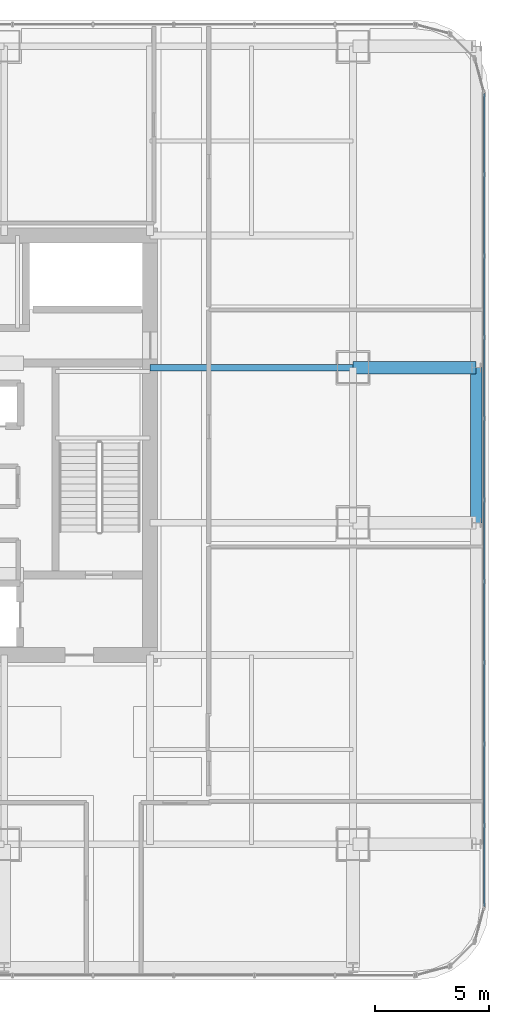
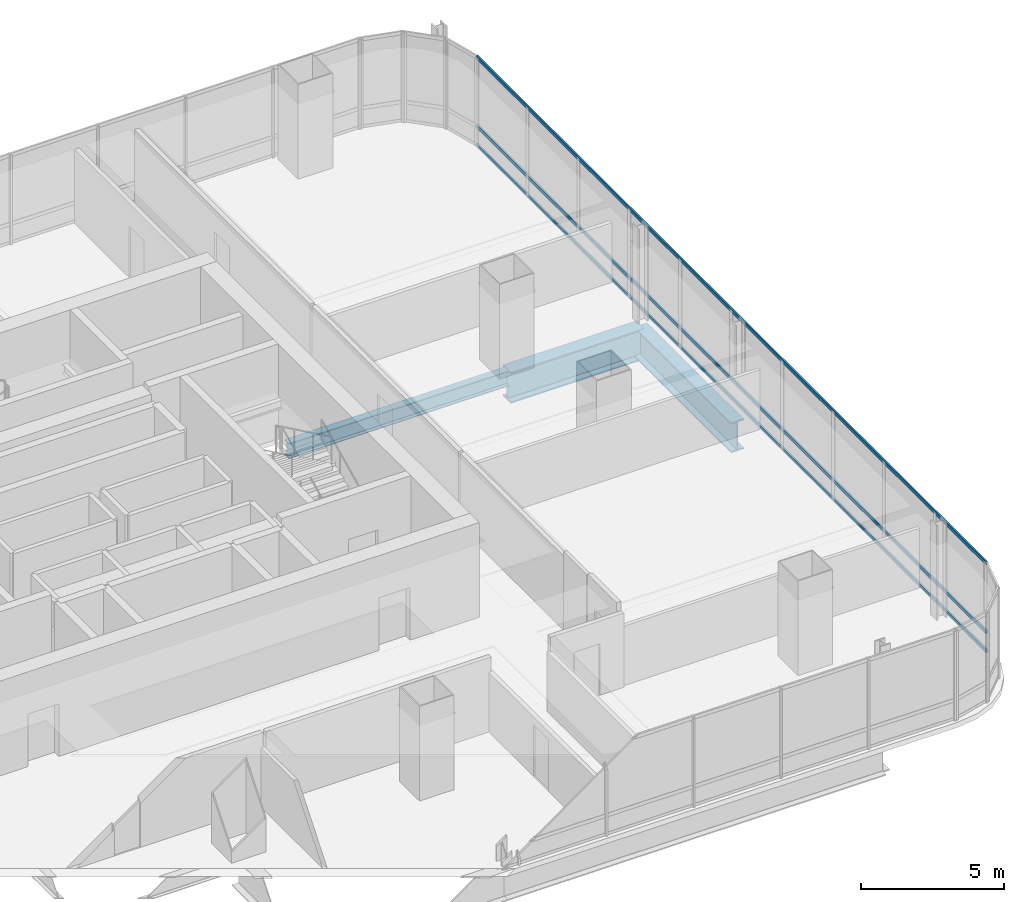
# One storey, part 18 of 36: 3 beams, 3 members, 1 element without a shape of its own.
"""IFC4 building model written with IfcOpenShell, lengths in metres."""

from ifc_helpers import new_model, si_unit, direction, frame, origin, origin_2d, place, context, subcontext, project, spatial, hollow_rectangle, i_section, extrude, material, material_profile, profile_set, type_object, element, aggregate, save


model = new_model("IFC4")

# Units and contexts
model_context = context("Model", 3, precision=1e-05, world=origin(), true_north=direction((0.0, 1.0)))
body_context = subcontext(model_context, "Body", "Model", "MODEL_VIEW")
ifc_project = project(units=[si_unit("LENGTHUNIT", "METRE"), si_unit("AREAUNIT", "SQUARE_METRE"), si_unit("VOLUMEUNIT", "CUBIC_METRE"), si_unit("PLANEANGLEUNIT", "RADIAN"), si_unit("MASSUNIT", "GRAM", prefix="KILO")], contexts=[model_context])

# Site, building, storey
site_placement = place(None, origin())
site = spatial("IfcSite", under=ifc_project, at=site_placement, CompositionType="ELEMENT")
building_placement = place(site_placement, origin())
building = spatial("IfcBuilding", under=site, at=building_placement, Name="Punatoya Terracotta Tower", CompositionType="ELEMENT")
storey_placement = place(building_placement, frame((0.0, 0.0, 208.64990234375)))
storey = spatial("IfcBuildingStorey", under=building, at=storey_placement, Name="L49", CompositionType="ELEMENT", Elevation=208.64990234375)

# Beams
ifc_material_1 = material(Name="Steel S355", Category="steel")
ifc_material_profile_1 = material_profile(ifc_material_1, i_section(OverallWidth=0.300048828125, OverallDepth=0.64990234375, WebThickness=0.01611328125, FlangeThickness=0.031005859375, FilletRadius=0.01806640625, at=origin_2d()))
ifc_profile_set_1 = profile_set([ifc_material_profile_1], Name="Steel S355")
beam_type_1 = type_object("IfcBeamType", Name="BM-PRI-650", PredefinedType="BEAM", material=ifc_profile_set_1)
beam_1_placement = place(storey_placement, frame((10.199951171875, 3.39990234375, -0.544921875), z_axis=(1.0, 0.0, 0.0), x_axis=(0.0, 1.0, 0.0)))
element("IfcBeam", 1, at=beam_1_placement, inside=storey, type_object=beam_type_1, Name="BM-L49-PR-EE", PredefinedType="BEAM", context=body_context, shape_type="SweptSolid", body=[
    extrude(i_section(OverallWidth=0.300048828125, OverallDepth=0.64990234375, WebThickness=0.01611328125, FlangeThickness=0.031005859375, FilletRadius=0.01806640625, at=origin_2d()), origin(), (0.0, 0.0, 1.0), 8.900146484375),
])
ifc_material_2 = material(Name="Steel S460", Category="steel")
ifc_material_profile_2 = material_profile(ifc_material_2, i_section(OverallWidth=0.56005859375, OverallDepth=1.320068359375, WebThickness=0.035888671875, FlangeThickness=0.054931640625, FilletRadius=0.01806640625, at=origin_2d()))
ifc_profile_set_2 = profile_set([ifc_material_profile_2], Name="Steel S460")
beam_type_2 = type_object("IfcBeamType", Name="BM-TG-BLK", PredefinedType="BEAM", material=ifc_profile_set_2)
beam_2_placement = place(storey_placement, frame((19.10009765625, 3.39990234375, -0.8798828125), z_axis=(1.0, 0.0, 0.0), x_axis=(0.0, 1.0, 0.0)))
element("IfcBeam", 2, at=beam_2_placement, inside=storey, type_object=beam_type_2, Name="BM-L49-CANT-E3", PredefinedType="BEAM", context=body_context, shape_type="SweptSolid", body=[
    extrude(i_section(OverallWidth=0.56005859375, OverallDepth=1.320068359375, WebThickness=0.035888671875, FlangeThickness=0.054931640625, FilletRadius=0.01806640625, at=origin_2d()), origin(), (0.0, 0.0, 1.0), 5.39990234375),
])
ifc_material_profile_3 = material_profile(ifc_material_2, i_section(OverallWidth=0.52001953125, OverallDepth=1.280029296875, WebThickness=0.031982421875, FlangeThickness=0.050048828125, FilletRadius=0.01806640625, at=origin_2d()))
ifc_profile_set_3 = profile_set([ifc_material_profile_3], Name="Steel S460")
beam_type_3 = type_object("IfcBeamType", Name="BM-TG-NCK", PredefinedType="BEAM", material=ifc_profile_set_3)
beam_3_placement = place(storey_placement, frame((24.5, -3.39990234375, -0.85986328125), z_axis=(0.0, 1.0, 0.0), x_axis=(-1.0, 0.0, 0.0)))
element("IfcBeam", 3, at=beam_3_placement, inside=storey, type_object=beam_type_3, Name="BM-L49-PER-E2", PredefinedType="BEAM", context=body_context, shape_type="SweptSolid", body=[
    extrude(i_section(OverallWidth=0.52001953125, OverallDepth=1.280029296875, WebThickness=0.031982421875, FlangeThickness=0.050048828125, FilletRadius=0.01806640625, at=origin_2d()), origin(), (0.0, 0.0, 1.0), 6.7998046875),
])

# Curtain wall, members
ifc_material_3 = material(Name="Aluminium 6063-T6 + Double Low-E Glass", Category="aluminium")
curtain_wall_type = type_object("IfcCurtainWallType", Name="CW-M2", PredefinedType="NOTDEFINED", material=ifc_material_3)
curtain_wall_placement = place(storey_placement, origin())
curtain_wall = element("IfcCurtainWall", 4, at=curtain_wall_placement, inside=storey, type_object=curtain_wall_type, Name="L49 Curtain Wall CW-L49-E05-1", PredefinedType="NOTDEFINED")
ifc_material_4 = material(Name="Aluminium 6063-T6", Category="aluminium")
ifc_material_profile_4 = material_profile(ifc_material_4, hollow_rectangle(XDim=0.068115234375, YDim=0.14990234375, WallThickness=0.00390625, at=origin_2d()))
ifc_profile_set_4 = profile_set([ifc_material_profile_4], Name="Aluminium 6063-T6")
member_type = type_object("IfcMemberType", Name="CW-TRN-TYP", PredefinedType="USERDEFINED", material=ifc_profile_set_4)
member_1_placement = place(storey_placement, frame((24.85009765625, -20.23681640625, 0.0400390625), z_axis=(0.0, 1.0, 0.0), x_axis=(-1.0, 0.0, 0.0)))
member_1 = element("IfcMember", 5, at=member_1_placement, type_object=member_type, Name="CW-L49-E05-1 Transom 1", ObjectType="TRANSOM", PredefinedType="USERDEFINED", context=body_context, shape_type="SweptSolid", body=[
    extrude(hollow_rectangle(XDim=0.068115234375, YDim=0.14990234375, WallThickness=0.00390625, at=origin_2d()), origin(), (0.0, 0.0, 1.0), 35.673828125),
])
member_2_placement = place(storey_placement, frame((24.85009765625, -20.23681640625, 0.85009765625), z_axis=(0.0, 1.0, 0.0), x_axis=(-1.0, 0.0, 0.0)))
member_2 = element("IfcMember", 6, at=member_2_placement, type_object=member_type, Name="CW-L49-E05-1 Transom 2", ObjectType="TRANSOM", PredefinedType="USERDEFINED", context=body_context, shape_type="SweptSolid", body=[
    extrude(hollow_rectangle(XDim=0.068115234375, YDim=0.14990234375, WallThickness=0.00390625, at=origin_2d()), origin(), (0.0, 0.0, 1.0), 35.673828125),
])
member_3_placement = place(storey_placement, frame((24.85009765625, -20.23681640625, 3.7900390625), z_axis=(0.0, 1.0, 0.0), x_axis=(-1.0, 0.0, 0.0)))
member_3 = element("IfcMember", 7, at=member_3_placement, type_object=member_type, Name="CW-L49-E05-1 Transom 3", ObjectType="TRANSOM", PredefinedType="USERDEFINED", context=body_context, shape_type="SweptSolid", body=[
    extrude(hollow_rectangle(XDim=0.068115234375, YDim=0.14990234375, WallThickness=0.00390625, at=origin_2d()), origin(), (0.0, 0.0, 1.0), 35.673828125),
])
aggregate(curtain_wall, [member_1, member_2, member_3])

save(model, "model.ifc")
